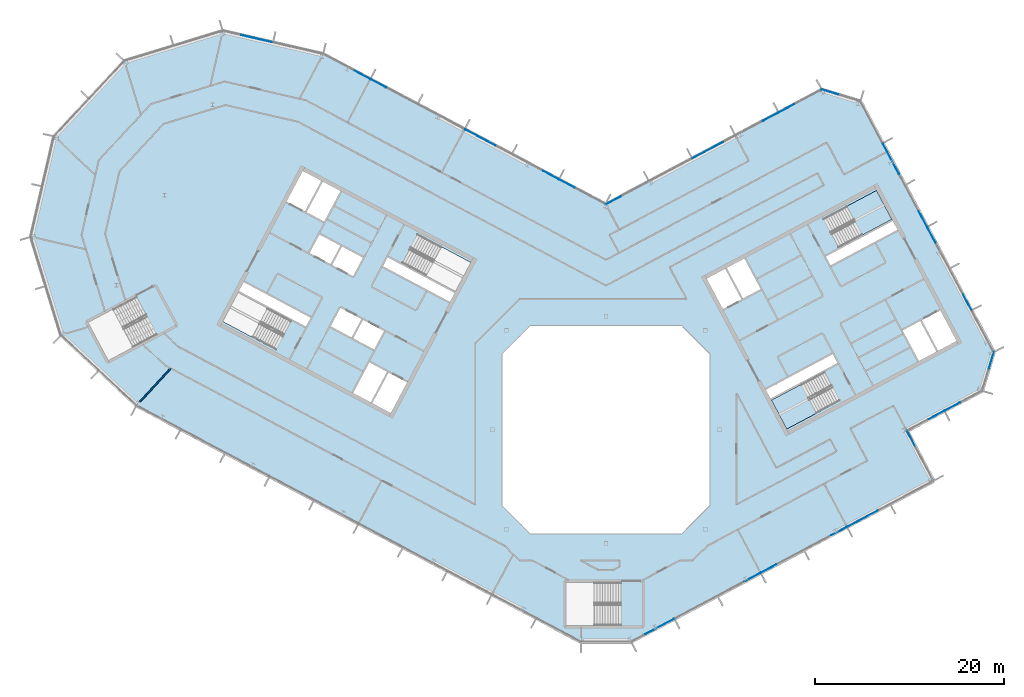
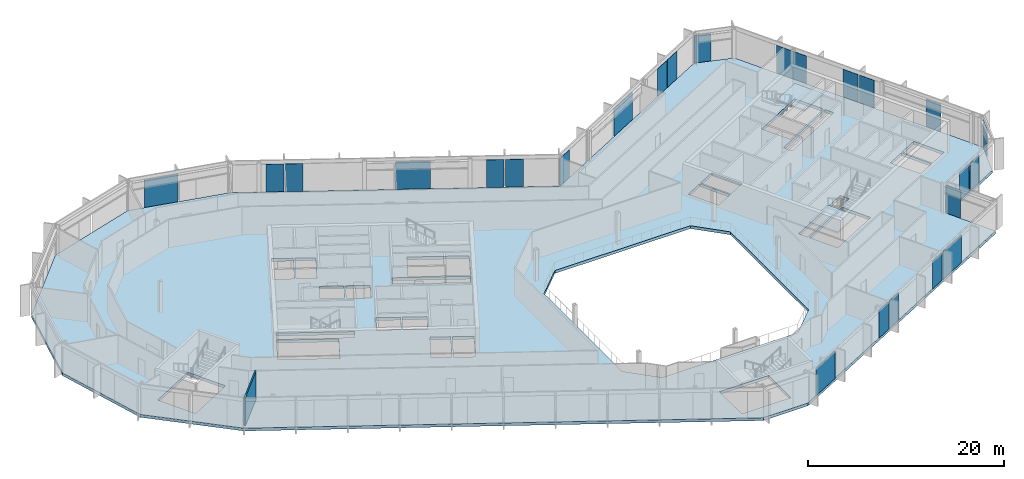
# One storey, part 12 of 26: 24 plates, 3 slabs, 1 wall, 11 elements without a shape of their own.
"""IFC4 building model written with IfcOpenShell, lengths in metres."""

import ifcopenshell
import ifcopenshell.guid

model = None  # the IFC model being written
_history = None  # IfcOwnerHistory: only IFC2X3 demands one
_inside = {}  # id of a spatial element -> (the spatial element, [elements in it])
_under = {}  # id of a project, library or spatial element -> (it, [spatial elements below it])
_declared = {}  # id of a project -> (the project, [libraries it declares])
_typed = {}  # id of a type object -> (the type object, [elements of that type])
_made_of = {}  # id of a material, layer set ... -> (it, [elements and type objects made of it])


def new_model(schema):
    """Start an empty IFC model of exactly this schema.

    Asked for "IFC4X3", IfcOpenShell would pick the latest addendum, in which some entities
    have other attributes; the version numbers below select the first issue.
    IFC2X3 requires an IfcOwnerHistory on every rooted entity: one is made here for all.
    """
    global model, _history
    if schema == "IFC4X3":
        model = ifcopenshell.file(schema_version=(4, 3, 0, 0))
    else:
        model = ifcopenshell.file(schema=schema)
    _inside.clear()
    _under.clear()
    _declared.clear()
    _typed.clear()
    _made_of.clear()
    _history = None
    if model.schema == "IFC2X3":
        org = make("IfcOrganization", Name="unknown")
        user = make(
            "IfcPersonAndOrganization",
            ThePerson=make("IfcPerson", FamilyName="unknown"),
            TheOrganization=org,
        )
        app = make(
            "IfcApplication",
            ApplicationDeveloper=org,
            Version="unknown",
            ApplicationFullName="unknown",
            ApplicationIdentifier="unknown",
        )
        _history = make(
            "IfcOwnerHistory",
            OwningUser=user,
            OwningApplication=app,
            ChangeAction="ADDED",
            CreationDate=0,
        )
    return model


def make(cls, **values):
    """One entity of the class cls with the attributes given. An attribute that is None is left unset."""
    return model.create_entity(
        cls, **{name: value for name, value in values.items() if value is not None}
    )


def rooted(cls, **values):
    """An entity with a GlobalId (a new one), such as an element, a storey or a relation."""
    return make(cls, GlobalId=ifcopenshell.guid.new(), OwnerHistory=_history, **values)


def si_unit(unit_type, name, prefix=None):
    """IfcSIUnit, for example si_unit("LENGTHUNIT", "METRE", prefix="MILLI")."""
    return make("IfcSIUnit", UnitType=unit_type, Prefix=prefix, Name=name)


def assignment(units):
    """IfcUnitAssignment: the units of a project."""
    return None if units is None else make("IfcUnitAssignment", Units=units)


def point(xyz):
    """IfcCartesianPoint."""
    return None if xyz is None else make("IfcCartesianPoint", Coordinates=xyz)


def direction(xyz):
    """IfcDirection."""
    return None if xyz is None else make("IfcDirection", DirectionRatios=xyz)


def frame(location, z_axis=None, x_axis=None):
    """IfcAxis2Placement3D, a coordinate frame: its origin and axes. An axis left out is left unset."""
    return make(
        "IfcAxis2Placement3D",
        Location=point(location),
        Axis=direction(z_axis),
        RefDirection=direction(x_axis),
    )


def frame_2d(location, x_axis=None):
    """IfcAxis2Placement2D, a coordinate frame in the plane: its origin and x axis."""
    return make(
        "IfcAxis2Placement2D", Location=point(location), RefDirection=direction(x_axis)
    )


def origin():
    """The frame at (0, 0, 0) with its axes left unset."""
    return frame((0.0, 0.0, 0.0))


def origin_2d():
    """The frame at (0, 0) in the plane with its x axis left unset."""
    return frame_2d((0.0, 0.0))


def place(relative_to, where):
    """IfcLocalPlacement: puts the frame where relative to a parent placement (None: the world)."""
    return make(
        "IfcLocalPlacement", PlacementRelTo=relative_to, RelativePlacement=where
    )


def context(
    kind, dimensions, precision=None, world=None, true_north=None, identifier=None
):
    """IfcGeometricRepresentationContext, for example the 3D "Model" context."""
    return make(
        "IfcGeometricRepresentationContext",
        ContextIdentifier=identifier,
        ContextType=kind,
        CoordinateSpaceDimension=dimensions,
        Precision=precision,
        WorldCoordinateSystem=world,
        TrueNorth=true_north,
    )


def subcontext(parent, identifier, kind, view, scale=None):
    """IfcGeometricRepresentationSubContext, for example "Body" below "Model"."""
    return make(
        "IfcGeometricRepresentationSubContext",
        ContextIdentifier=identifier,
        ContextType=kind,
        ParentContext=parent,
        TargetScale=scale,
        TargetView=view,
    )


def project(units=None, contexts=None):
    """IfcProject with its units and contexts."""
    return rooted(
        "IfcProject",
        Name="project",
        RepresentationContexts=contexts,
        UnitsInContext=assignment(units),
    )


def spatial(cls, under=None, at=None, **own):
    """A site, building, storey or space (cls), placed at a placement, below another one or the project."""
    s = rooted(cls, ObjectPlacement=at, **own)
    if under is not None:
        _under.setdefault(under.id(), (under, []))[1].append(s)
    return s


def polyline(points):
    """IfcPolyline through the points."""
    return make("IfcPolyline", Points=[point(p) for p in points])


def profile(cls, at=None, kind="AREA", **sizes):
    """A parametric profile (cls). Its sizes go by their IFC names, for example OverallWidth=200.0."""
    return make(cls, ProfileType=kind, Position=at, **sizes)


def rectangle(**sizes):
    """IfcRectangleProfileDef."""
    return profile("IfcRectangleProfileDef", **sizes)


def outline(outer, holes=None, kind="AREA"):
    """IfcArbitraryClosedProfileDef: a profile drawn as a closed curve; with holes, ...WithVoids."""
    if holes is None:
        return make("IfcArbitraryClosedProfileDef", ProfileType=kind, OuterCurve=outer)
    return make(
        "IfcArbitraryProfileDefWithVoids",
        ProfileType=kind,
        OuterCurve=outer,
        InnerCurves=holes,
    )


def extrude(swept, where, along, depth):
    """IfcExtrudedAreaSolid: the profile swept, set in the frame where, extruded along a direction by depth."""
    return make(
        "IfcExtrudedAreaSolid",
        SweptArea=swept,
        Position=where,
        ExtrudedDirection=direction(along),
        Depth=depth,
    )


def shape(context_of_items, identifier, shape_type, items):
    """IfcShapeRepresentation: the items that make up one representation, for example the "Body"."""
    return make(
        "IfcShapeRepresentation",
        ContextOfItems=context_of_items,
        RepresentationIdentifier=identifier,
        RepresentationType=shape_type,
        Items=items,
    )


def material(Name=None, Category=None):
    """IfcMaterial."""
    return make("IfcMaterial", Name=Name, Category=Category)


def layer(
    of_material, thickness, ventilated=None, Name=None, Category=None, Priority=None
):
    """IfcMaterialLayer: one layer of a wall or slab, of a material (None: an air gap)."""
    return make(
        "IfcMaterialLayer",
        Material=of_material,
        LayerThickness=thickness,
        IsVentilated=ventilated,
        Name=Name,
        Category=Category,
        Priority=Priority,
    )


def layer_set(layers, Name=None):
    """IfcMaterialLayerSet."""
    return make("IfcMaterialLayerSet", MaterialLayers=layers, LayerSetName=Name)


def made_of(thing, what):
    """Note that an element or type object is made of a material, layer set ...; save() writes the relation."""
    if what is not None:
        _made_of.setdefault(what.id(), (what, []))[1].append(thing)
    return thing


def type_object(cls, material=None, **own):
    """A type object (cls), such as IfcWallType, which elements share."""
    return made_of(rooted(cls, **own), material)


def element(
    cls,
    number,
    at=None,
    inside=None,
    cuts=None,
    type_object=None,
    material=None,
    context=None,
    identifier="Body",
    shape_type=None,
    held_by="IfcProductDefinitionShape",
    body=None,
    shapes=None,
    **own,
):
    """One element of the class cls, such as IfcWall. Its Tag is "e" and its number.

    at: its placement. inside: the storey or other place that contains it. cuts: it is an
    opening in that element (IfcRelVoidsElement). A single representation is given by context,
    identifier, shape_type and body (its items); several are given by shapes. held_by: the class
    of the entity that holds the representations. save() writes the other relations.
    """
    e = rooted(cls, Tag="e%d" % number, ObjectPlacement=at, **own)
    if body is not None:
        shapes = [shape(context, identifier, shape_type, body)]
    if shapes is not None:
        e.Representation = make(held_by, Representations=shapes)
    if inside is not None:
        _inside.setdefault(inside.id(), (inside, []))[1].append(e)
    if cuts is not None:
        rooted(
            "IfcRelVoidsElement", RelatingBuildingElement=cuts, RelatedOpeningElement=e
        )
    if type_object is not None:
        _typed.setdefault(type_object.id(), (type_object, []))[1].append(e)
    return made_of(e, material)


def aggregate(whole, parts):
    """IfcRelAggregates: a whole, such as a stair, and the parts it consists of."""
    return rooted("IfcRelAggregates", RelatingObject=whole, RelatedObjects=parts)


def save(model, path):
    """Write the relations noted so far, then the file.

    IfcRelAggregates (storeys below a building ...), IfcRelContainedInSpatialStructure (elements
    in a storey), IfcRelDefinesByType, IfcRelAssociatesMaterial and IfcRelDeclares: one each for
    every whole, place, type object, material and project.
    """
    for whole, parts in _under.values():
        aggregate(whole, parts)
    for where, things in _inside.values():
        rooted(
            "IfcRelContainedInSpatialStructure",
            RelatedElements=things,
            RelatingStructure=where,
        )
    for kind, things in _typed.values():
        rooted("IfcRelDefinesByType", RelatedObjects=things, RelatingType=kind)
    for what, things in _made_of.values():
        rooted("IfcRelAssociatesMaterial", RelatedObjects=things, RelatingMaterial=what)
    for by, libraries in _declared.values():
        rooted("IfcRelDeclares", RelatingContext=by, RelatedDefinitions=libraries)
    model.write(path)


model = new_model("IFC4")

# Units and contexts
model_context = context("Model", 3, precision=1e-05, world=origin(), true_north=direction((0.0, 1.0)))
body_context = subcontext(model_context, "Body", "Model", "MODEL_VIEW")
ifc_project = project(units=[si_unit("LENGTHUNIT", "METRE"), si_unit("AREAUNIT", "SQUARE_METRE"), si_unit("VOLUMEUNIT", "CUBIC_METRE"), si_unit("PLANEANGLEUNIT", "RADIAN"), si_unit("MASSUNIT", "GRAM", prefix="KILO")], contexts=[model_context])

# Site, building, storey
site_placement = place(None, origin())
site = spatial("IfcSite", under=ifc_project, at=site_placement, CompositionType="ELEMENT")
building_placement = place(site_placement, origin())
building = spatial("IfcBuilding", under=site, at=building_placement, Name="Cormorant Relay Tower", CompositionType="ELEMENT")
storey_placement = place(building_placement, frame((0.0, 0.0, 308.699951171875)))
storey = spatial("IfcBuildingStorey", under=building, at=storey_placement, Name="L70", CompositionType="ELEMENT", Elevation=308.699951171875)

# Curtain wall, plates
ifc_material_1 = material(Name="Aluminium 6063-T6 anodised bronze", Category="aluminium")
ifc_layer_1 = layer(ifc_material_1, 0.199951171875)
ifc_layer_set_1 = layer_set([ifc_layer_1], Name="CW1 unitised bronze curtain wall with vertical fins")
curtain_wall_type = type_object("IfcCurtainWallType", Name="CW1 unitised bronze curtain wall with vertical fins", PredefinedType="NOTDEFINED", material=ifc_layer_set_1)
curtain_wall_1_placement = place(storey_placement, origin())
curtain_wall_1 = element("IfcCurtainWall", 1, at=curtain_wall_1_placement, inside=storey, type_object=curtain_wall_type, Name="CW1 curtain wall 2", PredefinedType="NOTDEFINED")
ifc_material_2 = material(Name="Tinted laminated glass", Category="glass")
ifc_layer_2 = layer(ifc_material_2, 0.0400390625)
ifc_layer_set_2 = layer_set([ifc_layer_2], Name="CW1 tinted vision panel 1800 module")
plate_type_1 = type_object("IfcPlateType", Name="CW1 tinted vision panel 1800 module", PredefinedType="CURTAIN_PANEL", material=ifc_layer_set_2)
plate_1_placement = place(storey_placement, frame((15.48291015625, -15.57421875, 0.0), z_axis=(0.0, 0.0, 1.0), x_axis=(0.882947592859, 0.469471562786, 0.0)))
plate_1 = element("IfcPlate", 2, at=plate_1_placement, type_object=plate_type_1, Name="CW1 panel V03", PredefinedType="CURTAIN_PANEL", context=body_context, shape_type="SweptSolid", body=[
    extrude(rectangle(XDim=1.800048828125, YDim=0.0400390625, at=origin_2d()), origin(), (0.0, 0.0, 1.0), 3.449951171875),
])
plate_2_placement = place(storey_placement, frame((17.20458984375, -14.65869140625, 0.0), z_axis=(0.0, 0.0, 1.0), x_axis=(0.882947592859, 0.469471562786, 0.0)))
plate_2 = element("IfcPlate", 3, at=plate_2_placement, type_object=plate_type_1, Name="CW1 panel V04", PredefinedType="CURTAIN_PANEL", context=body_context, shape_type="SweptSolid", body=[
    extrude(rectangle(XDim=1.800048828125, YDim=0.0400390625, at=origin_2d()), origin(), (0.0, 0.0, 1.0), 3.449951171875),
])
plate_3_placement = place(storey_placement, frame((24.6064453125, -10.72314453125, 0.0), z_axis=(0.0, 0.0, 1.0), x_axis=(0.882947592859, 0.469471562786, 0.0)))
plate_3 = element("IfcPlate", 4, at=plate_3_placement, type_object=plate_type_1, Name="CW1 panel V06", PredefinedType="CURTAIN_PANEL", context=body_context, shape_type="SweptSolid", body=[
    extrude(rectangle(XDim=1.800048828125, YDim=0.0400390625, at=origin_2d()), origin(), (0.0, 0.0, 1.0), 3.449951171875),
])

# Curtain wall, plate
curtain_wall_2_placement = place(storey_placement, origin())
curtain_wall_2 = element("IfcCurtainWall", 5, at=curtain_wall_2_placement, inside=storey, type_object=curtain_wall_type, Name="CW1 curtain wall 3", PredefinedType="NOTDEFINED")
plate_4_placement = place(storey_placement, frame((32.204833984375, -0.88427734375, 0.0), z_axis=(0.0, 0.0, 1.0), x_axis=(-0.469471562786, 0.882947592859, 0.0)))
plate_4 = element("IfcPlate", 6, at=plate_4_placement, type_object=plate_type_1, Name="CW1 panel V01", PredefinedType="CURTAIN_PANEL", context=body_context, shape_type="SweptSolid", body=[
    extrude(rectangle(XDim=1.800048828125, YDim=0.0400390625, at=origin_2d()), origin(), (0.0, 0.0, 1.0), 3.449951171875),
])
aggregate(curtain_wall_2, [plate_4])

# Curtain wall, plates
curtain_wall_3_placement = place(storey_placement, origin())
curtain_wall_3 = element("IfcCurtainWall", 7, at=curtain_wall_3_placement, inside=storey, type_object=curtain_wall_type, Name="CW1 curtain wall 4", PredefinedType="NOTDEFINED")
plate_5_placement = place(storey_placement, frame((34.886474609375, 1.5380859375, 0.0), z_axis=(0.0, 0.0, 1.0), x_axis=(0.882947592859, 0.469471562786, 0.0)))
plate_5 = element("IfcPlate", 8, at=plate_5_placement, type_object=plate_type_1, Name="CW1 panel V01", PredefinedType="CURTAIN_PANEL", context=body_context, shape_type="SweptSolid", body=[
    extrude(rectangle(XDim=1.800048828125, YDim=0.0400390625, at=origin_2d()), origin(), (0.0, 0.0, 1.0), 3.449951171875),
])
plate_6_placement = place(storey_placement, frame((36.608154296875, 2.45361328125, 0.0), z_axis=(0.0, 0.0, 1.0), x_axis=(0.882947592859, 0.469471562786, 0.0)))
plate_6 = element("IfcPlate", 9, at=plate_6_placement, type_object=plate_type_1, Name="CW1 panel V02", PredefinedType="CURTAIN_PANEL", context=body_context, shape_type="SweptSolid", body=[
    extrude(rectangle(XDim=1.800048828125, YDim=0.0400390625, at=origin_2d()), origin(), (0.0, 0.0, 1.0), 3.449951171875),
])
aggregate(curtain_wall_3, [plate_5, plate_6])

# Curtain wall, plate
curtain_wall_4_placement = place(storey_placement, origin())
curtain_wall_4 = element("IfcCurtainWall", 10, at=curtain_wall_4_placement, inside=storey, type_object=curtain_wall_type, Name="CW1 curtain wall 5", PredefinedType="NOTDEFINED")
plate_7_placement = place(storey_placement, frame((40.70751953125, 7.31689453125, 0.0), z_axis=(0.0, 0.0, 1.0), x_axis=(0.292371704723, 0.956304755963, 0.0)))
plate_7 = element("IfcPlate", 11, at=plate_7_placement, type_object=plate_type_1, Name="CW1 panel V01", PredefinedType="CURTAIN_PANEL", context=body_context, shape_type="SweptSolid", body=[
    extrude(rectangle(XDim=1.800048828125, YDim=0.0400390625, at=origin_2d()), origin(), (0.0, 0.0, 1.0), 3.449951171875),
])
aggregate(curtain_wall_4, [plate_7])

# Curtain wall, plates
curtain_wall_5_placement = place(storey_placement, origin())
curtain_wall_5 = element("IfcCurtainWall", 12, at=curtain_wall_5_placement, inside=storey, type_object=curtain_wall_type, Name="CW1 curtain wall 6", PredefinedType="NOTDEFINED")
plate_8_placement = place(storey_placement, frame((38.1640625, 13.468505859375, 0.0), z_axis=(0.0, 0.0, 1.0), x_axis=(-0.469471562786, 0.882947592859, 0.0)))
plate_8 = element("IfcPlate", 13, at=plate_8_placement, type_object=plate_type_1, Name="CW1 panel V01", PredefinedType="CURTAIN_PANEL", context=body_context, shape_type="SweptSolid", body=[
    extrude(rectangle(XDim=1.800048828125, YDim=0.0400390625, at=origin_2d()), origin(), (0.0, 0.0, 1.0), 3.449951171875),
])
plate_9_placement = place(storey_placement, frame((34.385009765625, 20.576171875, 0.0), z_axis=(0.0, 0.0, 1.0), x_axis=(-0.469471562786, 0.882947592859, 0.0)))
plate_9 = element("IfcPlate", 14, at=plate_9_placement, type_object=plate_type_1, Name="CW1 panel V03", PredefinedType="CURTAIN_PANEL", context=body_context, shape_type="SweptSolid", body=[
    extrude(rectangle(XDim=1.800048828125, YDim=0.0400390625, at=origin_2d()), origin(), (0.0, 0.0, 1.0), 3.449951171875),
])
plate_10_placement = place(storey_placement, frame((33.469482421875, 22.298095703125, 0.0), z_axis=(0.0, 0.0, 1.0), x_axis=(-0.469471562786, 0.882947592859, 0.0)))
plate_10 = element("IfcPlate", 15, at=plate_10_placement, type_object=plate_type_1, Name="CW1 panel V04", PredefinedType="CURTAIN_PANEL", context=body_context, shape_type="SweptSolid", body=[
    extrude(rectangle(XDim=1.800048828125, YDim=0.0400390625, at=origin_2d()), origin(), (0.0, 0.0, 1.0), 3.449951171875),
])

# Curtain wall, plate
curtain_wall_6_placement = place(storey_placement, origin())
curtain_wall_6 = element("IfcCurtainWall", 16, at=curtain_wall_6_placement, inside=storey, type_object=curtain_wall_type, Name="CW1 curtain wall 7", PredefinedType="NOTDEFINED")
plate_11_placement = place(storey_placement, frame((23.6767578125, 35.668212890625, 0.0), z_axis=(0.0, 0.0, 1.0), x_axis=(-0.956304755963, 0.292371704723, 0.0)))
plate_11 = element("IfcPlate", 17, at=plate_11_placement, type_object=plate_type_1, Name="CW1 panel V01", PredefinedType="CURTAIN_PANEL", context=body_context, shape_type="SweptSolid", body=[
    extrude(rectangle(XDim=1.800048828125, YDim=0.0400390625, at=origin_2d()), origin(), (0.0, 0.0, 1.0), 3.449951171875),
])
aggregate(curtain_wall_6, [plate_11])

# Curtain wall, plates
curtain_wall_7_placement = place(storey_placement, origin())
curtain_wall_7 = element("IfcCurtainWall", 18, at=curtain_wall_7_placement, inside=storey, type_object=curtain_wall_type, Name="CW1 curtain wall 8", PredefinedType="NOTDEFINED")
plate_12_placement = place(storey_placement, frame((19.099609375, 33.962158203125, 0.0), z_axis=(0.0, 0.0, 1.0), x_axis=(-0.882947592859, -0.469471562786, 0.0)))
plate_12 = element("IfcPlate", 19, at=plate_12_placement, type_object=plate_type_1, Name="CW1 panel V01", PredefinedType="CURTAIN_PANEL", context=body_context, shape_type="SweptSolid", body=[
    extrude(rectangle(XDim=1.800048828125, YDim=0.0400390625, at=origin_2d()), origin(), (0.0, 0.0, 1.0), 3.449951171875),
])
plate_13_placement = place(storey_placement, frame((17.3779296875, 33.046630859375, 0.0), z_axis=(0.0, 0.0, 1.0), x_axis=(-0.882947592859, -0.469471562786, 0.0)))
plate_13 = element("IfcPlate", 20, at=plate_13_placement, type_object=plate_type_1, Name="CW1 panel V02", PredefinedType="CURTAIN_PANEL", context=body_context, shape_type="SweptSolid", body=[
    extrude(rectangle(XDim=1.800048828125, YDim=0.0400390625, at=origin_2d()), origin(), (0.0, 0.0, 1.0), 3.449951171875),
])
plate_14_placement = place(storey_placement, frame((0.785400390625, 24.22412109375, 0.0), z_axis=(0.0, 0.0, 1.0), x_axis=(-0.882947592859, -0.469471562786, 0.0)))
plate_14 = element("IfcPlate", 21, at=plate_14_placement, type_object=plate_type_1, Name="CW1 panel V06", PredefinedType="CURTAIN_PANEL", context=body_context, shape_type="SweptSolid", body=[
    extrude(rectangle(XDim=1.800048828125, YDim=0.0400390625, at=origin_2d()), origin(), (0.0, 0.0, 1.0), 3.449951171875),
])

curtain_wall_8_placement = place(storey_placement, origin())
curtain_wall_8 = element("IfcCurtainWall", 22, at=curtain_wall_8_placement, inside=storey, type_object=curtain_wall_type, Name="CW1 curtain wall 9", PredefinedType="NOTDEFINED")
plate_15_placement = place(storey_placement, frame((-4.108642578125, 25.9912109375, 0.0), z_axis=(0.0, 0.0, 1.0), x_axis=(-0.882947592859, 0.469471562786, 0.0)))
plate_15 = element("IfcPlate", 23, at=plate_15_placement, type_object=plate_type_1, Name="CW1 panel V01", PredefinedType="CURTAIN_PANEL", context=body_context, shape_type="SweptSolid", body=[
    extrude(rectangle(XDim=1.800048828125, YDim=0.0400390625, at=origin_2d()), origin(), (0.0, 0.0, 1.0), 3.449951171875),
])
plate_16_placement = place(storey_placement, frame((-5.830322265625, 26.90673828125, 0.0), z_axis=(0.0, 0.0, 1.0), x_axis=(-0.882947592859, 0.469471562786, 0.0)))
plate_16 = element("IfcPlate", 24, at=plate_16_placement, type_object=plate_type_1, Name="CW1 panel V02", PredefinedType="CURTAIN_PANEL", context=body_context, shape_type="SweptSolid", body=[
    extrude(rectangle(XDim=1.800048828125, YDim=0.0400390625, at=origin_2d()), origin(), (0.0, 0.0, 1.0), 3.449951171875),
])
plate_17_placement = place(storey_placement, frame((-24.0244140625, 36.580810546875, 0.0), z_axis=(0.0, 0.0, 1.0), x_axis=(-0.882947592859, 0.469471562786, 0.0)))
plate_17 = element("IfcPlate", 25, at=plate_17_placement, type_object=plate_type_1, Name="CW1 panel V06", PredefinedType="CURTAIN_PANEL", context=body_context, shape_type="SweptSolid", body=[
    extrude(rectangle(XDim=1.800048828125, YDim=0.0400390625, at=origin_2d()), origin(), (0.0, 0.0, 1.0), 3.449951171875),
])
plate_18_placement = place(storey_placement, frame((-25.746337890625, 37.49609375, 0.0), z_axis=(0.0, 0.0, 1.0), x_axis=(-0.882947592859, 0.469471562786, 0.0)))
plate_18 = element("IfcPlate", 26, at=plate_18_placement, type_object=plate_type_1, Name="CW1 panel V07", PredefinedType="CURTAIN_PANEL", context=body_context, shape_type="SweptSolid", body=[
    extrude(rectangle(XDim=1.800048828125, YDim=0.0400390625, at=origin_2d()), origin(), (0.0, 0.0, 1.0), 3.449951171875),
])

# Plate
ifc_material_3 = material(Name="Tinted laminated glass", Category="glass")
ifc_layer_3 = layer(ifc_material_3, 0.0400390625)
ifc_layer_set_3 = layer_set([ifc_layer_3], Name="CW1 tinted vision panel 3600 module")
plate_type_2 = type_object("IfcPlateType", Name="CW1 tinted vision panel 3600 module", PredefinedType="CURTAIN_PANEL", material=ifc_layer_set_3)
plate_19_placement = place(storey_placement, frame((5.564453125, -20.847900390625, 0.0), z_axis=(0.0, 0.0, 1.0), x_axis=(0.882947592859, 0.469471562786, 0.0)))
plate_19 = element("IfcPlate", 27, at=plate_19_placement, type_object=plate_type_2, Name="CW1 panel V01", PredefinedType="CURTAIN_PANEL", context=body_context, shape_type="SweptSolid", body=[
    extrude(rectangle(XDim=3.60009765625, YDim=0.0400390625, at=origin_2d()), origin(), (0.0, 0.0, 1.0), 3.449951171875),
])

plate_20_placement = place(storey_placement, frame((27.122802734375, -9.38525390625, 0.0), z_axis=(0.0, 0.0, 1.0), x_axis=(0.882947592859, 0.469471562786, 0.0)))
plate_20 = element("IfcPlate", 28, at=plate_20_placement, type_object=plate_type_2, Name="CW1 panel V07", PredefinedType="CURTAIN_PANEL", context=body_context, shape_type="SweptSolid", body=[
    extrude(rectangle(XDim=3.60009765625, YDim=0.0400390625, at=origin_2d()), origin(), (0.0, 0.0, 1.0), 3.449951171875),
])

aggregate(curtain_wall_1, [plate_19, plate_1, plate_2, plate_3, plate_20])

plate_21_placement = place(storey_placement, frame((30.11279296875, 28.611083984375, 0.0), z_axis=(0.0, 0.0, 1.0), x_axis=(-0.469471562786, 0.882947592859, 0.0)))
plate_21 = element("IfcPlate", 29, at=plate_21_placement, type_object=plate_type_2, Name="CW1 panel V06", PredefinedType="CURTAIN_PANEL", context=body_context, shape_type="SweptSolid", body=[
    extrude(rectangle(XDim=3.60009765625, YDim=0.0400390625, at=origin_2d()), origin(), (0.0, 0.0, 1.0), 3.449951171875),
])

aggregate(curtain_wall_5, [plate_8, plate_9, plate_10, plate_21])

plate_22_placement = place(storey_placement, frame((10.770263671875, 29.533203125, 0.0), z_axis=(0.0, 0.0, 1.0), x_axis=(-0.882947592859, -0.469471562786, 0.0)))
plate_22 = element("IfcPlate", 30, at=plate_22_placement, type_object=plate_type_2, Name="CW1 panel V04", PredefinedType="CURTAIN_PANEL", context=body_context, shape_type="SweptSolid", body=[
    extrude(rectangle(XDim=3.60009765625, YDim=0.0400390625, at=origin_2d()), origin(), (0.0, 0.0, 1.0), 3.449951171875),
])

aggregate(curtain_wall_7, [plate_12, plate_13, plate_22, plate_14])

plate_23_placement = place(storey_placement, frame((-13.27197265625, 30.86328125, 0.0), z_axis=(0.0, 0.0, 1.0), x_axis=(-0.882947592859, 0.469471562786, 0.0)))
plate_23 = element("IfcPlate", 31, at=plate_23_placement, type_object=plate_type_2, Name="CW1 panel V04", PredefinedType="CURTAIN_PANEL", context=body_context, shape_type="SweptSolid", body=[
    extrude(rectangle(XDim=3.60009765625, YDim=0.0400390625, at=origin_2d()), origin(), (0.0, 0.0, 1.0), 3.449951171875),
])

aggregate(curtain_wall_8, [plate_15, plate_16, plate_23, plate_17, plate_18])

# Curtain wall, plate
curtain_wall_9_placement = place(storey_placement, origin())
curtain_wall_9 = element("IfcCurtainWall", 32, at=curtain_wall_9_placement, inside=storey, type_object=curtain_wall_type, Name="CW1 curtain wall 10", PredefinedType="NOTDEFINED")
plate_24_placement = place(storey_placement, frame((-36.9921875, 41.33203125, 0.0), z_axis=(0.0, 0.0, 1.0), x_axis=(-0.974370064785, 0.224951054344, 0.0)))
plate_24 = element("IfcPlate", 33, at=plate_24_placement, type_object=plate_type_2, Name="CW1 panel V02", PredefinedType="CURTAIN_PANEL", context=body_context, shape_type="SweptSolid", body=[
    extrude(rectangle(XDim=3.60009765625, YDim=0.0400390625, at=origin_2d()), origin(), (0.0, 0.0, 1.0), 3.449951171875),
])
aggregate(curtain_wall_9, [plate_24])

# Stair, slab
ifc_material_4 = material(Name="Concrete 40 MPa", Category="concrete")
stair_type = type_object("IfcStairType", Name="Exit stair 1500", PredefinedType="HALF_TURN_STAIR", material=ifc_material_4)
stair_1_placement = place(storey_placement, origin())
stair_1 = element("IfcStair", 34, at=stair_1_placement, inside=storey, type_object=stair_type, Name="L70 Stair", PredefinedType="HALF_TURN_STAIR")
ifc_material_5 = material(Name="Concrete 40 MPa", Category="concrete")
ifc_layer_4 = layer(ifc_material_5, 0.199951171875)
ifc_layer_set_4 = layer_set([ifc_layer_4], Name="Exit stair landing 200")
slab_type_1 = type_object("IfcSlabType", Name="Exit stair landing 200", PredefinedType="LANDING", material=ifc_layer_set_4)
slab_1_placement = place(storey_placement, frame((0.0, 0.0, 1.75)))
slab_1 = element("IfcSlab", 35, at=slab_1_placement, type_object=slab_type_1, Name="B1 landing 1", PredefinedType="LANDING", context=body_context, shape_type="SweptSolid", body=[
    extrude(outline(polyline([(20.614990234375, 4.78857421875), (17.48046875, 3.1220703125), (19.10009765625, 0.075927734375), (22.234619140625, 1.742431640625), (20.614990234375, 4.78857421875)])), origin(), (0.0, 0.0, 1.0), 0.199951171875),
])
aggregate(stair_1, [slab_1])

stair_2_placement = place(storey_placement, origin())
stair_2 = element("IfcStair", 36, at=stair_2_placement, inside=storey, type_object=stair_type, Name="L70 Stair", PredefinedType="HALF_TURN_STAIR")
slab_2_placement = place(storey_placement, frame((0.0, 0.0, 1.75)))
slab_2 = element("IfcSlab", 37, at=slab_2_placement, type_object=slab_type_1, Name="B2 landing 1", PredefinedType="LANDING", context=body_context, shape_type="SweptSolid", body=[
    extrude(outline(polyline([(27.064208984375, 20.562744140625), (30.19873046875, 22.2294921875), (28.5791015625, 25.275634765625), (25.444580078125, 23.60888671875), (27.064208984375, 20.562744140625)])), origin(), (0.0, 0.0, 1.0), 0.199951171875),
])
aggregate(stair_2, [slab_2])

# Slab
ifc_material_6 = material(Name="Concrete 40 MPa", Category="concrete")
ifc_layer_5 = layer(ifc_material_6, 0.360107421875)
ifc_layer_set_5 = layer_set([ifc_layer_5], Name="Flat plate 360")
slab_type_2 = type_object("IfcSlabType", Name="Flat plate 360", PredefinedType="FLOOR", material=ifc_layer_set_5)
slab_3_placement = place(storey_placement, frame((0.0, 0.0, -0.35986328125)))
element("IfcSlab", 38, at=slab_3_placement, inside=storey, type_object=slab_type_2, Name="Floor slab L70", PredefinedType="FLOOR", context=body_context, shape_type="SweptSolid", body=[
    extrude(outline(polyline([(-60.7197265625, 20.393310546875), (-58.2744140625, 30.985107421875), (-50.86083984375, 38.935302734375), (-40.465576171875, 42.11328125), (-29.873779296875, 39.668212890625), (0.0, 23.783935546875), (22.810302734375, 35.912353515625), (26.867431640625, 34.671875), (40.95166015625, 8.18359375), (39.711181640625, 4.126220703125), (31.7646484375, -0.09912109375), (34.581298828125, -5.396728515625), (2.648681640625, -22.37548828125), (-2.648681640625, -22.37548828125), (-49.591552734375, 2.584228515625), (-57.541748046875, 9.997802734375), (-60.7197265625, 20.393310546875)]), holes=[polyline([(11.0, -8.0), (11.0, 8.0), (8.0, 11.0), (-8.0, 11.0), (-11.0, 8.0), (-11.0, -8.0), (-8.0, -11.0), (8.0, -11.0), (11.0, -8.0)]), polyline([(-22.95458984375, 6.03271484375), (-24.668212890625, 2.81005859375), (-22.725830078125, 1.777099609375), (-21.01220703125, 5.0), (-23.04296875, 6.07958984375), (-22.95458984375, 6.03271484375)]), polyline([(-24.985595703125, 7.112548828125), (-26.69921875, 3.889892578125), (-24.844970703125, 2.90380859375), (-23.13134765625, 6.126708984375), (-23.04296875, 6.07958984375), (-24.985595703125, 7.112548828125)]), polyline([(-24.481201171875, 8.48681640625), (-23.448486328125, 10.42919921875), (-25.656005859375, 11.602783203125), (-26.688720703125, 9.660400390625), (-24.481201171875, 8.48681640625)]), polyline([(-49.57861328125, 14.0537109375), (-54.69970703125, 11.330810546875), (-52.563720703125, 7.3134765625), (-47.442626953125, 10.036376953125), (-49.57861328125, 14.0537109375)]), polyline([(-25.83251953125, 11.69677734375), (-28.039794921875, 12.870361328125), (-29.07275390625, 10.927978515625), (-26.865234375, 9.75439453125), (-25.83251953125, 11.69677734375)]), polyline([(-38.847900390625, 14.483154296875), (-40.46728515625, 11.43701171875), (-34.860595703125, 8.455810546875), (-33.240966796875, 11.502197265625), (-38.847900390625, 14.483154296875)]), polyline([(-38.260986328125, 15.5869140625), (-38.75390625, 14.659912109375), (-31.690185546875, 10.904052734375), (-31.197265625, 11.8310546875), (-38.260986328125, 15.5869140625)]), polyline([(-26.702880859375, 16.23681640625), (-25.670166015625, 18.17919921875), (-27.87744140625, 19.35302734375), (-28.910400390625, 17.410400390625), (-26.702880859375, 16.23681640625)]), polyline([(-31.294189453125, 18.677978515625), (-29.0869140625, 17.50439453125), (-28.053955078125, 19.447021484375), (-30.261474609375, 20.62060546875), (-31.294189453125, 18.677978515625)]), polyline([(-31.611572265625, 22.980712890625), (-29.75732421875, 21.99462890625), (-28.043701171875, 25.217529296875), (-29.89794921875, 26.203369140625), (-31.611572265625, 22.980712890625)]), polyline([(-32.01708984375, 27.330078125), (-33.73046875, 24.107421875), (-31.7880859375, 23.074462890625), (-30.074462890625, 26.29736328125), (-32.01708984375, 27.330078125)]), polyline([(-4.199951171875, -16.125), (-4.199951171875, -20.675048828125), (1.60009765625, -20.675048828125), (1.60009765625, -16.125), (-4.199951171875, -16.125)]), polyline([(17.48046875, 3.1220703125), (19.10009765625, 0.07568359375), (24.706787109375, 3.056884765625), (23.087158203125, 6.10302734375), (17.48046875, 3.1220703125)]), polyline([(17.386474609375, 3.298583984375), (24.4501953125, 7.054443359375), (23.957275390625, 7.9814453125), (16.8935546875, 4.2255859375), (17.386474609375, 3.298583984375)]), polyline([(33.197021484375, 11.478515625), (31.3427734375, 10.49267578125), (33.056396484375, 7.27001953125), (34.910400390625, 8.255859375), (33.197021484375, 11.478515625)]), polyline([(33.37353515625, 11.572509765625), (35.087158203125, 8.349609375), (37.029541015625, 9.382568359375), (35.31591796875, 12.605224609375), (33.37353515625, 11.572509765625)]), polyline([(14.3056640625, 13.779052734375), (12.592041015625, 17.001708984375), (10.649658203125, 15.968994140625), (12.36328125, 12.74609375), (14.39404296875, 13.825927734375), (14.3056640625, 13.779052734375)]), polyline([(16.33642578125, 14.85888671875), (14.622802734375, 18.08154296875), (12.768798828125, 17.095703125), (14.482421875, 13.872802734375), (14.39404296875, 13.825927734375), (16.33642578125, 14.85888671875)]), polyline([(-16.481689453125, 13.520263671875), (-15.989013671875, 14.447509765625), (-23.052490234375, 18.203125), (-23.54541015625, 17.276123046875), (-16.481689453125, 13.520263671875)]), polyline([(-15.89501953125, 14.6240234375), (-14.275390625, 17.670166015625), (-19.882080078125, 20.6513671875), (-21.501708984375, 17.605224609375), (-15.89501953125, 14.6240234375)]), polyline([(30.78564453125, 21.125732421875), (30.29248046875, 22.052978515625), (23.22900390625, 18.297119140625), (23.721923828125, 17.3701171875), (30.78564453125, 21.125732421875)]), polyline([(24.592041015625, 19.248291015625), (30.19873046875, 22.2294921875), (28.5791015625, 25.275634765625), (22.972412109375, 22.29443359375), (24.592041015625, 19.248291015625)])]), origin(), (0.0, 0.0, 1.0), 0.35986328125),
])

# Wall
ifc_material_7 = material(Name="Gypsum board partition")
ifc_layer_6 = layer(ifc_material_7, 0.14990234375)
ifc_layer_set_6 = layer_set([ifc_layer_6], Name="Tenant partition 150")
wall_type = type_object("IfcWallType", Name="Tenant partition 150", PredefinedType="PARTITIONING", material=ifc_layer_set_6)
wall_placement = place(storey_placement, frame((-45.955078125, 6.48388671875, 0.0), z_axis=(0.0, 0.0, 1.0), x_axis=(-0.681984927176, -0.731366227758, 0.0)))
element("IfcWall", 39, at=wall_placement, inside=storey, type_object=wall_type, Name="wall/L70/part/027", PredefinedType="PARTITIONING", context=body_context, shape_type="SweptSolid", body=[
    extrude(rectangle(XDim=4.85498046875, YDim=0.14990234375, at=frame_2d((2.427490234375, 0.0))), origin(), (0.0, 0.0, 1.0), 3.5400390625),
])

save(model, "model.ifc")
